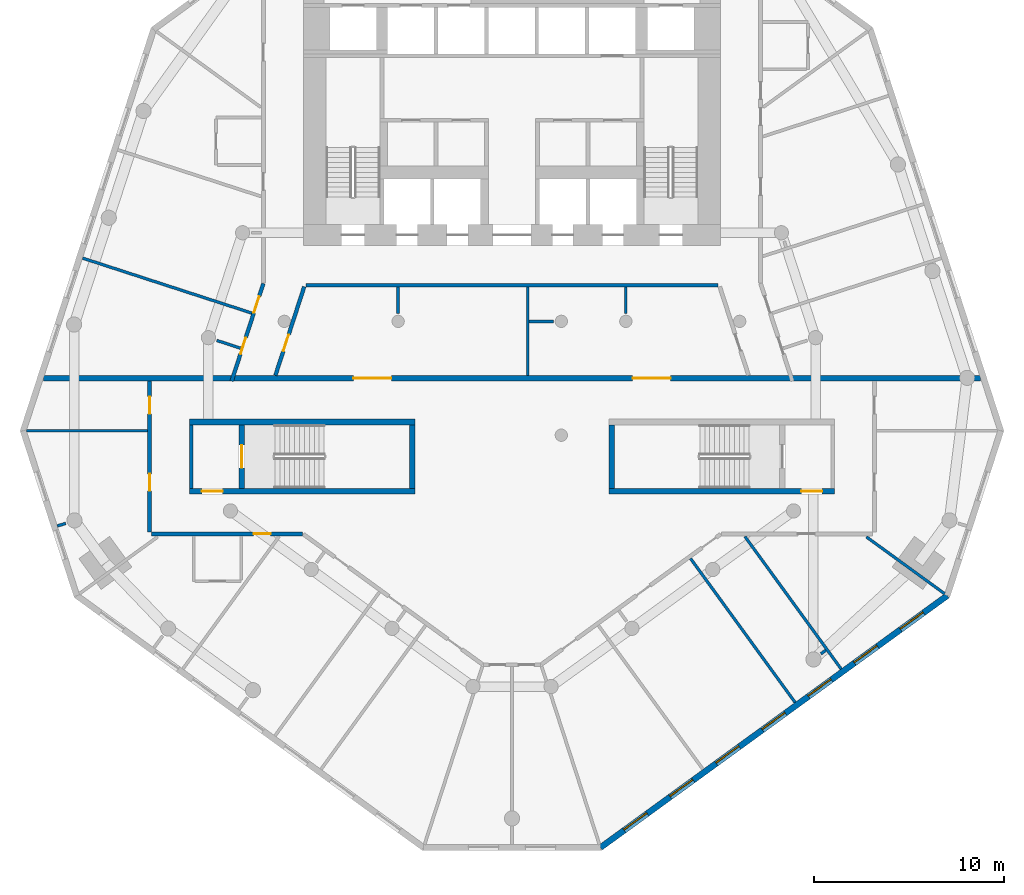
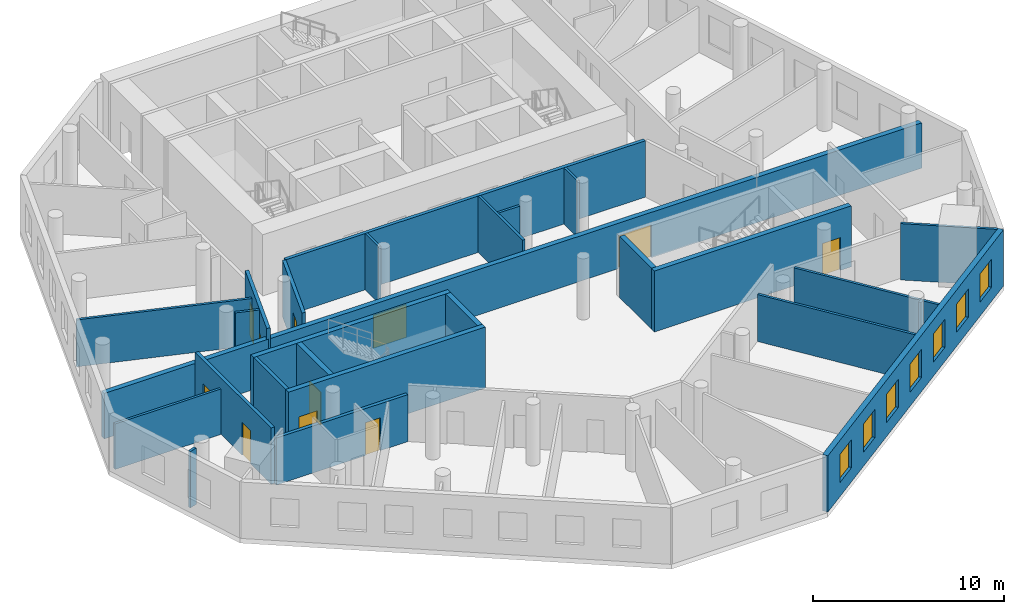
# One storey, part 3 of 9: 26 walls, 11 doors, 7 windows, 18 openings.
"""IFC4 building model written with IfcOpenShell, lengths in metres."""

from ifc_helpers import new_model, si_unit, direction, frame, frame_2d, origin, place, context, subcontext, project, spatial, rectangle, extrude, material, layer, layer_set, type_object, element, fill, save


model = new_model("IFC4")

# Units and contexts
model_context = context("Model", 3, precision=1e-05, world=origin(), true_north=direction((0.0, 1.0)))
body_context = subcontext(model_context, "Body", "Model", "MODEL_VIEW")
ifc_project = project(units=[si_unit("LENGTHUNIT", "METRE"), si_unit("AREAUNIT", "SQUARE_METRE"), si_unit("VOLUMEUNIT", "CUBIC_METRE"), si_unit("PLANEANGLEUNIT", "RADIAN"), si_unit("MASSUNIT", "GRAM", prefix="KILO")], contexts=[model_context])

# Site, building, storey
site_placement = place(None, origin())
site = spatial("IfcSite", under=ifc_project, at=site_placement, CompositionType="ELEMENT")
building_placement = place(site_placement, origin())
building = spatial("IfcBuilding", under=site, at=building_placement, Name="White Candle Pilgrim Tower", CompositionType="ELEMENT")
storey_placement = place(building_placement, frame((0.0, 0.0, 98.60009765625)))
storey = spatial("IfcBuildingStorey", under=building, at=storey_placement, Name="L21", CompositionType="ELEMENT", Elevation=98.60009765625)

# Wall
ifc_material_1 = material(Name="Concrete C60/75", Category="concrete")
ifc_layer_1 = layer(ifc_material_1, 0.199951171875)
ifc_layer_set_1 = layer_set([ifc_layer_1], Name="Core wall 200 mm Concrete C60/75")
wall_type_1 = type_object("IfcWallType", Name="Core wall 200 mm Concrete C60/75", PredefinedType="SHEAR", material=ifc_layer_set_1)
wall_1_placement = place(storey_placement, frame((53.10009765625, 58.199951171875, 0.0), z_axis=(0.0, 0.0, 1.0), x_axis=(0.0, 1.0, 0.0)))
element("IfcWall", 1, at=wall_1_placement, inside=storey, type_object=wall_type_1, Name="WL-L21-C03", PredefinedType="SHEAR", context=body_context, shape_type="SweptSolid", body=[
    extrude(rectangle(XDim=3.35009765625, YDim=0.199951171875, at=frame_2d((1.675048828125, 0.0))), origin(), (0.0, 0.0, 1.0), 3.89990234375),
])

# Wall, openings, doors
ifc_material_2 = material(Name="Gypsum board on steel studs", Category="steel")
ifc_layer_2 = layer(ifc_material_2, 0.199951171875)
ifc_layer_set_2 = layer_set([ifc_layer_2], Name="Corridor wall 200 mm EI 45")
wall_type_2 = type_object("IfcWallType", Name="Corridor wall 200 mm EI 45", PredefinedType="PARTITIONING", material=ifc_layer_set_2)
wall_2_placement = place(storey_placement, frame((55.224609375, 63.85009765625, 0.0), z_axis=(0.0, 0.0, 1.0), x_axis=(0.309037048815, 0.951049999979, 0.0)))
wall_2 = element("IfcWall", 2, at=wall_2_placement, inside=storey, type_object=wall_type_2, Name="WL-L21-P002", PredefinedType="PARTITIONING", context=body_context, shape_type="SweptSolid", body=[
    extrude(rectangle(XDim=5.4052734375, YDim=0.199951171875, at=frame_2d((2.70263671875, 0.0))), origin(), (0.0, 0.0, 1.0), 3.599853515625),
])
opening_1_placement = place(wall_2_placement, frame((1.508544921875, 0.0, 0.0)))
opening_1 = element("IfcOpeningElement", 3, at=opening_1_placement, cuts=wall_2, Name="Opening T06-119", PredefinedType="OPENING", context=body_context, shape_type="SweptSolid", body=[
    extrude(rectangle(XDim=0.89990234375, YDim=2.10009765625, at=frame_2d((0.449951171875, 1.050048828125))), frame((0.0, 0.10986328125, 0.0), z_axis=(0.0, -1.0, 0.0), x_axis=(1.0, 0.0, 0.0)), (0.0, 0.0, 1.0), 0.219970703125),
])
opening_2_placement = place(wall_2_placement, frame((3.78369140625, 0.0, 0.0)))
opening_2 = element("IfcOpeningElement", 4, at=opening_2_placement, cuts=wall_2, Name="Opening T06-120", PredefinedType="OPENING", context=body_context, shape_type="SweptSolid", body=[
    extrude(rectangle(XDim=0.89990234375, YDim=2.10009765625, at=frame_2d((0.449951171875, 1.050048828125))), frame((0.0, 0.10986328125, 0.0), z_axis=(0.0, -1.0, 0.0), x_axis=(1.0, 0.0, 0.0)), (0.0, 0.0, 1.0), 0.219970703125),
])
ifc_material_3 = material(Name="Steel door leaf", Category="steel")
door_type_1 = type_object("IfcDoorType", Name="Fire door 900 x 2100 EI 30", OperationType="NOTDEFINED", PredefinedType="DOOR", material=ifc_material_3)
door_1_placement = place(opening_1_placement, origin())
door_1 = element("IfcDoor", 5, at=door_1_placement, inside=storey, type_object=door_type_1, Name="Door T06-119", OperationType="SINGLE_SWING_LEFT", OverallHeight=2.10009765625, OverallWidth=0.89990234375, PredefinedType="DOOR", context=body_context, shape_type="SweptSolid", body=[
    extrude(rectangle(XDim=0.89990234375, YDim=2.10009765625, at=frame_2d((0.449951171875, 1.050048828125))), frame((0.0, 0.02490234375, 0.0), z_axis=(0.0, -1.0, 0.0), x_axis=(1.0, 0.0, 0.0)), (0.0, 0.0, 1.0), 0.050048828125),
])
fill(opening_1, door_1)
door_2_placement = place(opening_2_placement, frame((0.89990234375, 0.0, 0.0), z_axis=(0.0, 0.0, 1.0), x_axis=(-1.0, 0.0, 0.0)))
door_2 = element("IfcDoor", 6, at=door_2_placement, inside=storey, type_object=door_type_1, Name="Door T06-120", OperationType="SINGLE_SWING_LEFT", OverallHeight=2.10009765625, OverallWidth=0.89990234375, PredefinedType="DOOR", context=body_context, shape_type="SweptSolid", body=[
    extrude(rectangle(XDim=0.89990234375, YDim=2.10009765625, at=frame_2d((0.449951171875, 1.050048828125))), frame((0.0, 0.02490234375, 0.0), z_axis=(0.0, -1.0, 0.0), x_axis=(1.0, 0.0, 0.0)), (0.0, 0.0, 1.0), 0.050048828125),
])
fill(opening_2, door_2)

# Wall, opening, door
wall_3_placement = place(storey_placement, frame((58.946044921875, 55.800048828125, 0.0), z_axis=(0.0, 0.0, 1.0), x_axis=(-1.0, 0.0, 0.0)))
wall_3 = element("IfcWall", 7, at=wall_3_placement, inside=storey, type_object=wall_type_2, Name="WL-L21-P011", PredefinedType="PARTITIONING", context=body_context, shape_type="SweptSolid", body=[
    extrude(rectangle(XDim=7.946044921875, YDim=0.199951171875, at=frame_2d((3.97314453125, 0.0))), origin(), (0.0, 0.0, 1.0), 3.0),
])
opening_3_placement = place(wall_3_placement, frame((1.66943359375, 0.0, 0.0)))
opening_3 = element("IfcOpeningElement", 8, at=opening_3_placement, cuts=wall_3, Name="Opening T06-104", PredefinedType="OPENING", context=body_context, shape_type="SweptSolid", body=[
    extrude(rectangle(XDim=0.89990234375, YDim=2.10009765625, at=frame_2d((0.449951171875, 1.050048828125))), frame((0.0, 0.10986328125, 0.0), z_axis=(0.0, -1.0, 0.0), x_axis=(1.0, 0.0, 0.0)), (0.0, 0.0, 1.0), 0.219970703125),
])
door_3_placement = place(opening_3_placement, origin())
door_3 = element("IfcDoor", 9, at=door_3_placement, inside=storey, type_object=door_type_1, Name="Door T06-104", OperationType="SINGLE_SWING_RIGHT", OverallHeight=2.10009765625, OverallWidth=0.89990234375, PredefinedType="DOOR", context=body_context, shape_type="SweptSolid", body=[
    extrude(rectangle(XDim=0.89990234375, YDim=2.10009765625, at=frame_2d((0.449951171875, 1.050048828125))), frame((0.0, 0.02490234375, 0.0), z_axis=(0.0, -1.0, 0.0), x_axis=(1.0, 0.0, 0.0)), (0.0, 0.0, 1.0), 0.050048828125),
])
fill(opening_3, door_3)

# Wall, openings, doors
wall_4_placement = place(storey_placement, frame((50.89990234375, 55.89990234375, 0.0), z_axis=(0.0, 0.0, 1.0), x_axis=(0.0, 1.0, 0.0)))
wall_4 = element("IfcWall", 10, at=wall_4_placement, inside=storey, type_object=wall_type_2, Name="WL-L21-P012", PredefinedType="PARTITIONING", context=body_context, shape_type="SweptSolid", body=[
    extrude(rectangle(XDim=7.9501953125, YDim=0.199951171875, at=frame_2d((3.97509765625, 0.0))), origin(), (0.0, 0.0, 1.0), 3.599853515625),
])
opening_4_placement = place(wall_4_placement, frame((2.165283203125, 0.0, 0.0)))
opening_4 = element("IfcOpeningElement", 11, at=opening_4_placement, cuts=wall_4, Name="Opening T06-102", PredefinedType="OPENING", context=body_context, shape_type="SweptSolid", body=[
    extrude(rectangle(XDim=0.89990234375, YDim=2.10009765625, at=frame_2d((0.449951171875, 1.050048828125))), frame((0.0, 0.10986328125, 0.0), z_axis=(0.0, -1.0, 0.0), x_axis=(1.0, 0.0, 0.0)), (0.0, 0.0, 1.0), 0.219970703125),
])
opening_5_placement = place(wall_4_placement, frame((6.227783203125, 0.0, 0.0)))
opening_5 = element("IfcOpeningElement", 12, at=opening_5_placement, cuts=wall_4, Name="Opening T06-118", PredefinedType="OPENING", context=body_context, shape_type="SweptSolid", body=[
    extrude(rectangle(XDim=0.89990234375, YDim=2.10009765625, at=frame_2d((0.449951171875, 1.050048828125))), frame((0.0, 0.10986328125, 0.0), z_axis=(0.0, -1.0, 0.0), x_axis=(1.0, 0.0, 0.0)), (0.0, 0.0, 1.0), 0.219970703125),
])
door_4_placement = place(opening_4_placement, origin())
door_4 = element("IfcDoor", 13, at=door_4_placement, inside=storey, type_object=door_type_1, Name="Door T06-102", OperationType="SINGLE_SWING_RIGHT", OverallHeight=2.10009765625, OverallWidth=0.89990234375, PredefinedType="DOOR", context=body_context, shape_type="SweptSolid", body=[
    extrude(rectangle(XDim=0.89990234375, YDim=2.10009765625, at=frame_2d((0.449951171875, 1.050048828125))), frame((0.0, 0.02490234375, 0.0), z_axis=(0.0, -1.0, 0.0), x_axis=(1.0, 0.0, 0.0)), (0.0, 0.0, 1.0), 0.050048828125),
])
fill(opening_4, door_4)
door_5_placement = place(opening_5_placement, origin())
door_5 = element("IfcDoor", 14, at=door_5_placement, inside=storey, type_object=door_type_1, Name="Door T06-118", OperationType="SINGLE_SWING_RIGHT", OverallHeight=2.10009765625, OverallWidth=0.89990234375, PredefinedType="DOOR", context=body_context, shape_type="SweptSolid", body=[
    extrude(rectangle(XDim=0.89990234375, YDim=2.10009765625, at=frame_2d((0.449951171875, 1.050048828125))), frame((0.0, 0.02490234375, 0.0), z_axis=(0.0, -1.0, 0.0), x_axis=(1.0, 0.0, 0.0)), (0.0, 0.0, 1.0), 0.050048828125),
])
fill(opening_5, door_5)

# Wall
wall_5_placement = place(storey_placement, frame((80.853759765625, 68.89990234375, 0.0), z_axis=(0.0, 0.0, 1.0), x_axis=(-1.0, 0.0, 0.0)))
element("IfcWall", 15, at=wall_5_placement, inside=storey, type_object=wall_type_2, Name="WL-L21-P013", PredefinedType="PARTITIONING", context=body_context, shape_type="SweptSolid", body=[
    extrude(rectangle(XDim=21.70751953125, YDim=0.199951171875, at=frame_2d((10.853759765625, 0.0))), origin(), (0.0, 0.0, 1.0), 3.599853515625),
])

# Wall, opening, door
wall_6_placement = place(storey_placement, frame((59.05126953125, 68.830810546875, 0.0), z_axis=(0.0, 0.0, 1.0), x_axis=(-0.309031112369, -0.951051928965, 0.0)))
wall_6 = element("IfcWall", 16, at=wall_6_placement, inside=storey, type_object=wall_type_2, Name="WL-L21-P014", PredefinedType="PARTITIONING", context=body_context, shape_type="SweptSolid", body=[
    extrude(rectangle(XDim=4.921875, YDim=0.199951171875, at=frame_2d((2.4609375, 0.0))), origin(), (0.0, 0.0, 1.0), 3.599853515625),
])
opening_6_placement = place(wall_6_placement, frame((2.665283203125, 0.0, 0.0)))
opening_6 = element("IfcOpeningElement", 17, at=opening_6_placement, cuts=wall_6, Name="Opening T06-129", PredefinedType="OPENING", context=body_context, shape_type="SweptSolid", body=[
    extrude(rectangle(XDim=0.89990234375, YDim=2.10009765625, at=frame_2d((0.449951171875, 1.050048828125))), frame((0.0, 0.10986328125, 0.0), z_axis=(0.0, -1.0, 0.0), x_axis=(1.0, 0.0, 0.0)), (0.0, 0.0, 1.0), 0.219970703125),
])
door_6_placement = place(opening_6_placement, origin())
door_6 = element("IfcDoor", 18, at=door_6_placement, inside=storey, type_object=door_type_1, Name="Door T06-129", OperationType="SINGLE_SWING_LEFT", OverallHeight=2.10009765625, OverallWidth=0.89990234375, PredefinedType="DOOR", context=body_context, shape_type="SweptSolid", body=[
    extrude(rectangle(XDim=0.89990234375, YDim=2.10009765625, at=frame_2d((0.449951171875, 1.050048828125))), frame((0.0, 0.02490234375, 0.0), z_axis=(0.0, -1.0, 0.0), x_axis=(1.0, 0.0, 0.0)), (0.0, 0.0, 1.0), 0.050048828125),
])
fill(opening_6, door_6)

# Wall, openings, windows
ifc_material_4 = material(Name="Precast concrete C40/50", Category="concrete")
ifc_layer_3 = layer(ifc_material_4, 0.320068359375)
ifc_layer_set_3 = layer_set([ifc_layer_3], Name="Facade wall EW1 precast concrete C40/50 pier wall with timber-lined reveals")
wall_type_3 = type_object("IfcWallType", Name="Facade wall EW1 precast concrete C40/50 pier wall with timber-lined reveals", PredefinedType="SOLIDWALL", material=ifc_layer_set_3)
wall_7_placement = place(storey_placement, frame((74.66259765625, 39.26416015625, 0.0), z_axis=(0.0, 0.0, 1.0), x_axis=(0.809012643171, 0.587791241165, 0.0)))
wall_7 = element("IfcWall", 19, at=wall_7_placement, inside=storey, type_object=wall_type_3, Name="Facade wall L21 SE", PredefinedType="SOLIDWALL", context=body_context, shape_type="SweptSolid", body=[
    extrude(rectangle(XDim=22.591796875, YDim=0.320068359375, at=frame_2d((11.2958984375, 0.0))), origin(), (0.0, 0.0, 1.0), 3.599853515625),
])
opening_7_placement = place(wall_7_placement, frame((1.5458984375, 0.0, 0.89990234375)))
opening_7 = element("IfcOpeningElement", 20, at=opening_7_placement, cuts=wall_7, Name="Opening W1", PredefinedType="OPENING", context=body_context, shape_type="SweptSolid", body=[
    extrude(rectangle(XDim=1.5, YDim=1.800048828125, at=frame_2d((0.75, 0.89990234375))), frame((0.0, 0.169921875, 0.0), z_axis=(0.0, -1.0, 0.0), x_axis=(1.0, 0.0, 0.0)), (0.0, 0.0, 1.0), 0.340087890625),
])
opening_8_placement = place(wall_7_placement, frame((4.5458984375, 0.0, 0.89990234375)))
opening_8 = element("IfcOpeningElement", 21, at=opening_8_placement, cuts=wall_7, Name="Opening W1", PredefinedType="OPENING", context=body_context, shape_type="SweptSolid", body=[
    extrude(rectangle(XDim=1.5, YDim=1.800048828125, at=frame_2d((0.75, 0.89990234375))), frame((0.0, 0.169921875, 0.0), z_axis=(0.0, -1.0, 0.0), x_axis=(1.0, 0.0, 0.0)), (0.0, 0.0, 1.0), 0.340087890625),
])
opening_9_placement = place(wall_7_placement, frame((7.5458984375, 0.0, 0.89990234375)))
opening_9 = element("IfcOpeningElement", 22, at=opening_9_placement, cuts=wall_7, Name="Opening W1", PredefinedType="OPENING", context=body_context, shape_type="SweptSolid", body=[
    extrude(rectangle(XDim=1.5, YDim=1.800048828125, at=frame_2d((0.75, 0.89990234375))), frame((0.0, 0.169921875, 0.0), z_axis=(0.0, -1.0, 0.0), x_axis=(1.0, 0.0, 0.0)), (0.0, 0.0, 1.0), 0.340087890625),
])
opening_10_placement = place(wall_7_placement, frame((10.5458984375, 0.0, 0.89990234375)))
opening_10 = element("IfcOpeningElement", 23, at=opening_10_placement, cuts=wall_7, Name="Opening W1", PredefinedType="OPENING", context=body_context, shape_type="SweptSolid", body=[
    extrude(rectangle(XDim=1.5, YDim=1.800048828125, at=frame_2d((0.75, 0.89990234375))), frame((0.0, 0.169921875, 0.0), z_axis=(0.0, -1.0, 0.0), x_axis=(1.0, 0.0, 0.0)), (0.0, 0.0, 1.0), 0.340087890625),
])
opening_11_placement = place(wall_7_placement, frame((13.5458984375, 0.0, 0.89990234375)))
opening_11 = element("IfcOpeningElement", 24, at=opening_11_placement, cuts=wall_7, Name="Opening W1", PredefinedType="OPENING", context=body_context, shape_type="SweptSolid", body=[
    extrude(rectangle(XDim=1.5, YDim=1.800048828125, at=frame_2d((0.75, 0.89990234375))), frame((0.0, 0.169921875, 0.0), z_axis=(0.0, -1.0, 0.0), x_axis=(1.0, 0.0, 0.0)), (0.0, 0.0, 1.0), 0.340087890625),
])
opening_12_placement = place(wall_7_placement, frame((16.5458984375, 0.0, 0.89990234375)))
opening_12 = element("IfcOpeningElement", 25, at=opening_12_placement, cuts=wall_7, Name="Opening W1", PredefinedType="OPENING", context=body_context, shape_type="SweptSolid", body=[
    extrude(rectangle(XDim=1.5, YDim=1.800048828125, at=frame_2d((0.75, 0.89990234375))), frame((0.0, 0.169921875, 0.0), z_axis=(0.0, -1.0, 0.0), x_axis=(1.0, 0.0, 0.0)), (0.0, 0.0, 1.0), 0.340087890625),
])
opening_13_placement = place(wall_7_placement, frame((19.5458984375, 0.0, 0.89990234375)))
opening_13 = element("IfcOpeningElement", 26, at=opening_13_placement, cuts=wall_7, Name="Opening W1", PredefinedType="OPENING", context=body_context, shape_type="SweptSolid", body=[
    extrude(rectangle(XDim=1.5, YDim=1.800048828125, at=frame_2d((0.75, 0.89990234375))), frame((0.0, 0.169921875, 0.0), z_axis=(0.0, -1.0, 0.0), x_axis=(1.0, 0.0, 0.0)), (0.0, 0.0, 1.0), 0.340087890625),
])
ifc_material_5 = material(Name="Timber frame with triple glazing", Category="wood")
window_type = type_object("IfcWindowType", Name="Window W1 1500x1800 timber frame triple glazing", PartitioningType="SINGLE_PANEL", PredefinedType="WINDOW", material=ifc_material_5)
window_1_placement = place(opening_7_placement, origin())
window_1 = element("IfcWindow", 27, at=window_1_placement, inside=storey, type_object=window_type, Name="Window W1 L21 SE 1", OverallHeight=1.800048828125, OverallWidth=1.5, PartitioningType="SINGLE_PANEL", PredefinedType="WINDOW", context=body_context, shape_type="SweptSolid", body=[
    extrude(rectangle(XDim=1.5, YDim=1.800048828125, at=frame_2d((0.75, 0.89990234375))), frame((0.0, 0.070068359375, 0.0), z_axis=(0.0, -1.0, 0.0), x_axis=(1.0, 0.0, 0.0)), (0.0, 0.0, 1.0), 0.06005859375),
])
fill(opening_7, window_1)
window_2_placement = place(opening_8_placement, origin())
window_2 = element("IfcWindow", 28, at=window_2_placement, inside=storey, type_object=window_type, Name="Window W1 L21 SE 2", OverallHeight=1.800048828125, OverallWidth=1.5, PartitioningType="SINGLE_PANEL", PredefinedType="WINDOW", context=body_context, shape_type="SweptSolid", body=[
    extrude(rectangle(XDim=1.5, YDim=1.800048828125, at=frame_2d((0.75, 0.89990234375))), frame((0.0, 0.070068359375, 0.0), z_axis=(0.0, -1.0, 0.0), x_axis=(1.0, 0.0, 0.0)), (0.0, 0.0, 1.0), 0.06005859375),
])
fill(opening_8, window_2)
window_3_placement = place(opening_9_placement, origin())
window_3 = element("IfcWindow", 29, at=window_3_placement, inside=storey, type_object=window_type, Name="Window W1 L21 SE 3", OverallHeight=1.800048828125, OverallWidth=1.5, PartitioningType="SINGLE_PANEL", PredefinedType="WINDOW", context=body_context, shape_type="SweptSolid", body=[
    extrude(rectangle(XDim=1.5, YDim=1.800048828125, at=frame_2d((0.75, 0.89990234375))), frame((0.0, 0.070068359375, 0.0), z_axis=(0.0, -1.0, 0.0), x_axis=(1.0, 0.0, 0.0)), (0.0, 0.0, 1.0), 0.06005859375),
])
fill(opening_9, window_3)
window_4_placement = place(opening_10_placement, origin())
window_4 = element("IfcWindow", 30, at=window_4_placement, inside=storey, type_object=window_type, Name="Window W1 L21 SE 4", OverallHeight=1.800048828125, OverallWidth=1.5, PartitioningType="SINGLE_PANEL", PredefinedType="WINDOW", context=body_context, shape_type="SweptSolid", body=[
    extrude(rectangle(XDim=1.5, YDim=1.800048828125, at=frame_2d((0.75, 0.89990234375))), frame((0.0, 0.070068359375, 0.0), z_axis=(0.0, -1.0, 0.0), x_axis=(1.0, 0.0, 0.0)), (0.0, 0.0, 1.0), 0.06005859375),
])
fill(opening_10, window_4)
window_5_placement = place(opening_11_placement, origin())
window_5 = element("IfcWindow", 31, at=window_5_placement, inside=storey, type_object=window_type, Name="Window W1 L21 SE 5", OverallHeight=1.800048828125, OverallWidth=1.5, PartitioningType="SINGLE_PANEL", PredefinedType="WINDOW", context=body_context, shape_type="SweptSolid", body=[
    extrude(rectangle(XDim=1.5, YDim=1.800048828125, at=frame_2d((0.75, 0.89990234375))), frame((0.0, 0.070068359375, 0.0), z_axis=(0.0, -1.0, 0.0), x_axis=(1.0, 0.0, 0.0)), (0.0, 0.0, 1.0), 0.06005859375),
])
fill(opening_11, window_5)
window_6_placement = place(opening_12_placement, origin())
window_6 = element("IfcWindow", 32, at=window_6_placement, inside=storey, type_object=window_type, Name="Window W1 L21 SE 6", OverallHeight=1.800048828125, OverallWidth=1.5, PartitioningType="SINGLE_PANEL", PredefinedType="WINDOW", context=body_context, shape_type="SweptSolid", body=[
    extrude(rectangle(XDim=1.5, YDim=1.800048828125, at=frame_2d((0.75, 0.89990234375))), frame((0.0, 0.070068359375, 0.0), z_axis=(0.0, -1.0, 0.0), x_axis=(1.0, 0.0, 0.0)), (0.0, 0.0, 1.0), 0.06005859375),
])
fill(opening_12, window_6)
window_7_placement = place(opening_13_placement, origin())
window_7 = element("IfcWindow", 33, at=window_7_placement, inside=storey, type_object=window_type, Name="Window W1 L21 SE 7", OverallHeight=1.800048828125, OverallWidth=1.5, PartitioningType="SINGLE_PANEL", PredefinedType="WINDOW", context=body_context, shape_type="SweptSolid", body=[
    extrude(rectangle(XDim=1.5, YDim=1.800048828125, at=frame_2d((0.75, 0.89990234375))), frame((0.0, 0.070068359375, 0.0), z_axis=(0.0, -1.0, 0.0), x_axis=(1.0, 0.0, 0.0)), (0.0, 0.0, 1.0), 0.06005859375),
])
fill(opening_13, window_7)

# Wall, openings, doors
ifc_material_6 = material(Name="Aerated concrete block", Category="concrete")
ifc_layer_4 = layer(ifc_material_6, 0.300048828125)
ifc_layer_set_4 = layer_set([ifc_layer_4], Name="Fire wall 300 mm REI 240")
wall_type_4 = type_object("IfcWallType", Name="Fire wall 300 mm REI 240", PredefinedType="PARTITIONING", material=ifc_layer_set_4)
wall_8_placement = place(storey_placement, frame((45.3056640625, 64.0, 0.0), z_axis=(0.0, 0.0, 1.0), x_axis=(1.0, 0.0, 0.0)))
wall_8 = element("IfcWall", 34, at=wall_8_placement, inside=storey, type_object=wall_type_4, Name="WL-L21-P001", PredefinedType="PARTITIONING", context=body_context, shape_type="SweptSolid", body=[
    extrude(rectangle(XDim=49.388671875, YDim=0.300048828125, at=frame_2d((24.6943359375, 0.0))), origin(), (0.0, 0.0, 1.0), 2.89990234375),
])
opening_14_placement = place(wall_8_placement, frame((16.3310546875, 0.0, 0.0)))
opening_14 = element("IfcOpeningElement", 35, at=opening_14_placement, cuts=wall_8, Name="Opening T06-116", PredefinedType="OPENING", context=body_context, shape_type="SweptSolid", body=[
    extrude(rectangle(XDim=2.0, YDim=2.10009765625, at=frame_2d((1.0, 1.050048828125))), frame((0.0, 0.159912109375, 0.0), z_axis=(0.0, -1.0, 0.0), x_axis=(1.0, 0.0, 0.0)), (0.0, 0.0, 1.0), 0.320068359375),
])
opening_15_placement = place(wall_8_placement, frame((31.0576171875, 0.0, 0.0)))
opening_15 = element("IfcOpeningElement", 36, at=opening_15_placement, cuts=wall_8, Name="Opening T06-117", PredefinedType="OPENING", context=body_context, shape_type="SweptSolid", body=[
    extrude(rectangle(XDim=2.0, YDim=2.10009765625, at=frame_2d((1.0, 1.050048828125))), frame((0.0, 0.159912109375, 0.0), z_axis=(0.0, -1.0, 0.0), x_axis=(1.0, 0.0, 0.0)), (0.0, 0.0, 1.0), 0.320068359375),
])
door_type_2 = type_object("IfcDoorType", Name="Fire door 2000 x 2100 EI 60", OperationType="NOTDEFINED", PredefinedType="DOOR", material=ifc_material_3)
door_7_placement = place(opening_14_placement, origin())
door_7 = element("IfcDoor", 37, at=door_7_placement, inside=storey, type_object=door_type_2, Name="Door T06-116", OperationType="DOUBLE_DOOR_SINGLE_SWING", OverallHeight=2.10009765625, OverallWidth=2.0, PredefinedType="DOOR", context=body_context, shape_type="SweptSolid", body=[
    extrude(rectangle(XDim=2.0, YDim=2.10009765625, at=frame_2d((1.0, 1.050048828125))), frame((0.0, 0.02490234375, 0.0), z_axis=(0.0, -1.0, 0.0), x_axis=(1.0, 0.0, 0.0)), (0.0, 0.0, 1.0), 0.050048828125),
])
fill(opening_14, door_7)
door_8_placement = place(opening_15_placement, origin())
door_8 = element("IfcDoor", 38, at=door_8_placement, inside=storey, type_object=door_type_2, Name="Door T06-117", OperationType="DOUBLE_DOOR_SINGLE_SWING", OverallHeight=2.10009765625, OverallWidth=2.0, PredefinedType="DOOR", context=body_context, shape_type="SweptSolid", body=[
    extrude(rectangle(XDim=2.0, YDim=2.10009765625, at=frame_2d((1.0, 1.050048828125))), frame((0.0, 0.02490234375, 0.0), z_axis=(0.0, -1.0, 0.0), x_axis=(1.0, 0.0, 0.0)), (0.0, 0.0, 1.0), 0.050048828125),
])
fill(opening_15, door_8)

# Walls
ifc_layer_5 = layer(ifc_material_2, 0.14990234375)
ifc_layer_set_5 = layer_set([ifc_layer_5], Name="Partition 150 mm EI 60")
wall_type_5 = type_object("IfcWallType", Name="Partition 150 mm EI 60", PredefinedType="PARTITIONING", material=ifc_layer_set_5)
wall_9_placement = place(storey_placement, frame((44.40576171875, 61.230712890625, 0.0), z_axis=(0.0, 0.0, 1.0), x_axis=(1.0, 0.0, 0.0)))
element("IfcWall", 39, at=wall_9_placement, inside=storey, type_object=wall_type_5, Name="WL-L21-P017", PredefinedType="PARTITIONING", context=body_context, shape_type="SweptSolid", body=[
    extrude(rectangle(XDim=6.394287109375, YDim=0.14990234375, at=frame_2d((3.197265625, 0.0))), origin(), (0.0, 0.0, 1.0), 2.89990234375),
])
wall_10_placement = place(storey_placement, frame((92.8037109375, 52.642333984375, 0.0), z_axis=(0.0, 0.0, 1.0), x_axis=(-0.809009310944, 0.587795827483, 0.0)))
element("IfcWall", 40, at=wall_10_placement, inside=storey, type_object=wall_type_5, Name="WL-L21-P021", PredefinedType="PARTITIONING", context=body_context, shape_type="SweptSolid", body=[
    extrude(rectangle(XDim=5.098876953125, YDim=0.14990234375, at=frame_2d((2.54931640625, 0.0))), origin(), (0.0, 0.0, 1.0), 3.599853515625),
])
wall_11_placement = place(storey_placement, frame((47.363525390625, 70.333740234375, 0.0), z_axis=(0.0, 0.0, 1.0), x_axis=(0.951060843481, -0.309003676349, 0.0)))
element("IfcWall", 41, at=wall_11_placement, inside=storey, type_object=wall_type_5, Name="WL-L21-P025", PredefinedType="PARTITIONING", context=body_context, shape_type="SweptSolid", body=[
    extrude(rectangle(XDim=9.3798828125, YDim=0.14990234375, at=frame_2d((4.68994140625, 0.0))), origin(), (0.0, 0.0, 1.0), 3.0),
])
wall_12_placement = place(storey_placement, frame((84.920654296875, 46.9150390625, 0.0), z_axis=(0.0, 0.0, 1.0), x_axis=(-0.587783184234, 0.809018496903, 0.0)))
element("IfcWall", 42, at=wall_12_placement, inside=storey, type_object=wall_type_5, Name="WL-L21-P037", PredefinedType="PARTITIONING", context=body_context, shape_type="SweptSolid", body=[
    extrude(rectangle(XDim=9.380126953125, YDim=0.14990234375, at=frame_2d((4.68994140625, 0.0))), origin(), (0.0, 0.0, 1.0), 3.0),
])
wall_13_placement = place(storey_placement, frame((87.34765625, 48.678466796875, 0.0), z_axis=(0.0, 0.0, 1.0), x_axis=(-0.587774405354, 0.809024875026, 0.0)))
element("IfcWall", 43, at=wall_13_placement, inside=storey, type_object=wall_type_5, Name="WL-L21-P038", PredefinedType="PARTITIONING", context=body_context, shape_type="SweptSolid", body=[
    extrude(rectangle(XDim=8.62451171875, YDim=0.14990234375, at=frame_2d((4.312255859375, 0.0))), origin(), (0.0, 0.0, 1.0), 3.0),
])
wall_14_placement = place(storey_placement, frame((70.827880859375, 64.14990234375, 0.0), z_axis=(0.0, 0.0, 1.0), x_axis=(0.0, 1.0, 0.0)))
element("IfcWall", 44, at=wall_14_placement, inside=storey, type_object=wall_type_5, Name="WL-L21-P045", PredefinedType="PARTITIONING", context=body_context, shape_type="SweptSolid", body=[
    extrude(rectangle(XDim=4.650146484375, YDim=0.14990234375, at=frame_2d((2.3251953125, 0.0))), origin(), (0.0, 0.0, 1.0), 3.599853515625),
])
wall_15_placement = place(storey_placement, frame((46.47509765625, 56.35498046875, 0.0), z_axis=(0.0, 0.0, 1.0), x_axis=(-0.951037957901, -0.309074105406, 0.0)))
element("IfcWall", 45, at=wall_15_placement, inside=storey, type_object=wall_type_5, Name="WL-L21-P046", PredefinedType="PARTITIONING", context=body_context, shape_type="SweptSolid", body=[
    extrude(rectangle(XDim=0.46142578125, YDim=0.14990234375, at=frame_2d((0.230712890625, 0.0))), origin(), (0.0, 0.0, 1.0), 3.599853515625),
])
wall_16_placement = place(storey_placement, frame((86.280517578125, 49.47607421875, 0.0), z_axis=(0.0, 0.0, 1.0), x_axis=(0.809165407994, 0.587580924219, 0.0)))
element("IfcWall", 46, at=wall_16_placement, inside=storey, type_object=wall_type_5, Name="WL-L21-P049", PredefinedType="PARTITIONING", context=body_context, shape_type="SweptSolid", body=[
    extrude(rectangle(XDim=0.319580078125, YDim=0.14990234375, at=frame_2d((0.15966796875, 0.0))), origin(), (0.0, 0.0, 1.0), 3.099853515625),
])
wall_17_placement = place(storey_placement, frame((54.441162109375, 65.992919921875, 0.0), z_axis=(0.0, 0.0, 1.0), x_axis=(0.951046418515, -0.309048070419, 0.0)))
element("IfcWall", 47, at=wall_17_placement, inside=storey, type_object=wall_type_5, Name="WL-L21-P057", PredefinedType="PARTITIONING", context=body_context, shape_type="SweptSolid", body=[
    extrude(rectangle(XDim=1.307373046875, YDim=0.14990234375, at=frame_2d((0.65380859375, 0.0))), origin(), (0.0, 0.0, 1.0), 3.599853515625),
])
wall_18_placement = place(storey_placement, frame((63.997802734375, 67.4150390625, 0.0), z_axis=(0.0, 0.0, 1.0), x_axis=(0.0, 1.0, 0.0)))
element("IfcWall", 48, at=wall_18_placement, inside=storey, type_object=wall_type_5, Name="WL-L21-P058", PredefinedType="PARTITIONING", context=body_context, shape_type="SweptSolid", body=[
    extrude(rectangle(XDim=1.385009765625, YDim=0.14990234375, at=frame_2d((0.6923828125, 0.0))), origin(), (0.0, 0.0, 1.0), 3.599853515625),
])
wall_19_placement = place(storey_placement, frame((72.18505859375, 66.997802734375, 0.0), z_axis=(0.0, 0.0, 1.0), x_axis=(-1.0, 0.0, 0.0)))
element("IfcWall", 49, at=wall_19_placement, inside=storey, type_object=wall_type_5, Name="WL-L21-P059", PredefinedType="PARTITIONING", context=body_context, shape_type="SweptSolid", body=[
    extrude(rectangle(XDim=1.2822265625, YDim=0.14990234375, at=frame_2d((0.64111328125, 0.0))), origin(), (0.0, 0.0, 1.0), 3.599853515625),
])
wall_20_placement = place(storey_placement, frame((75.997802734375, 67.4150390625, 0.0), z_axis=(0.0, 0.0, 1.0), x_axis=(0.0, 1.0, 0.0)))
element("IfcWall", 50, at=wall_20_placement, inside=storey, type_object=wall_type_5, Name="WL-L21-P060", PredefinedType="PARTITIONING", context=body_context, shape_type="SweptSolid", body=[
    extrude(rectangle(XDim=1.385009765625, YDim=0.14990234375, at=frame_2d((0.6923828125, 0.0))), origin(), (0.0, 0.0, 1.0), 3.599853515625),
])

# Wall, opening, door
ifc_layer_6 = layer(ifc_material_1, 0.300048828125)
ifc_layer_set_6 = layer_set([ifc_layer_6], Name="Stair shaft wall 300 mm Concrete C60/75")
wall_type_6 = type_object("IfcWallType", Name="Stair shaft wall 300 mm Concrete C60/75", PredefinedType="SHEAR", material=ifc_layer_set_6)
wall_21_placement = place(storey_placement, frame((53.0, 58.050048828125, 0.0), z_axis=(0.0, 0.0, 1.0), x_axis=(1.0, 0.0, 0.0)))
wall_21 = element("IfcWall", 51, at=wall_21_placement, inside=storey, type_object=wall_type_6, Name="WL-L21-C01", PredefinedType="SHEAR", context=body_context, shape_type="SweptSolid", body=[
    extrude(rectangle(XDim=11.89990234375, YDim=0.300048828125, at=frame_2d((5.949951171875, 0.0))), origin(), (0.0, 0.0, 1.0), 3.89990234375),
])
opening_16_placement = place(wall_21_placement, frame((0.64990234375, 0.0, 0.0)))
opening_16 = element("IfcOpeningElement", 52, at=opening_16_placement, cuts=wall_21, Name="Opening T06-007", PredefinedType="OPENING", context=body_context, shape_type="SweptSolid", body=[
    extrude(rectangle(XDim=1.10009765625, YDim=2.10009765625, at=frame_2d((0.550048828125, 1.050048828125))), frame((0.0, 0.159912109375, 0.0), z_axis=(0.0, -1.0, 0.0), x_axis=(1.0, 0.0, 0.0)), (0.0, 0.0, 1.0), 0.320068359375),
])
door_type_3 = type_object("IfcDoorType", Name="Fire door 1100 x 2100 EI 60", OperationType="NOTDEFINED", PredefinedType="DOOR", material=ifc_material_3)
door_9_placement = place(opening_16_placement, origin())
door_9 = element("IfcDoor", 53, at=door_9_placement, inside=storey, type_object=door_type_3, Name="Door T06-007", OperationType="SINGLE_SWING_LEFT", OverallHeight=2.10009765625, OverallWidth=1.10009765625, PredefinedType="DOOR", context=body_context, shape_type="SweptSolid", body=[
    extrude(rectangle(XDim=1.10009765625, YDim=2.10009765625, at=frame_2d((0.550048828125, 1.050048828125))), frame((0.0, 0.02490234375, 0.0), z_axis=(0.0, -1.0, 0.0), x_axis=(1.0, 0.0, 0.0)), (0.0, 0.0, 1.0), 0.050048828125),
])
fill(opening_16, door_9)

wall_22_placement = place(storey_placement, frame((75.10009765625, 58.050048828125, 0.0), z_axis=(0.0, 0.0, 1.0), x_axis=(1.0, 0.0, 0.0)))
wall_22 = element("IfcWall", 54, at=wall_22_placement, inside=storey, type_object=wall_type_6, Name="WL-L21-C02", PredefinedType="SHEAR", context=body_context, shape_type="SweptSolid", body=[
    extrude(rectangle(XDim=11.89990234375, YDim=0.300048828125, at=frame_2d((5.949951171875, 0.0))), origin(), (0.0, 0.0, 1.0), 3.89990234375),
])
opening_17_placement = place(wall_22_placement, frame((10.14990234375, 0.0, 0.0)))
opening_17 = element("IfcOpeningElement", 55, at=opening_17_placement, cuts=wall_22, Name="Opening T06-009", PredefinedType="OPENING", context=body_context, shape_type="SweptSolid", body=[
    extrude(rectangle(XDim=1.10009765625, YDim=2.10009765625, at=frame_2d((0.550048828125, 1.050048828125))), frame((0.0, 0.159912109375, 0.0), z_axis=(0.0, -1.0, 0.0), x_axis=(1.0, 0.0, 0.0)), (0.0, 0.0, 1.0), 0.320068359375),
])
door_10_placement = place(opening_17_placement, origin())
door_10 = element("IfcDoor", 56, at=door_10_placement, inside=storey, type_object=door_type_3, Name="Door T06-009", OperationType="SINGLE_SWING_LEFT", OverallHeight=2.10009765625, OverallWidth=1.10009765625, PredefinedType="DOOR", context=body_context, shape_type="SweptSolid", body=[
    extrude(rectangle(XDim=1.10009765625, YDim=2.10009765625, at=frame_2d((0.550048828125, 1.050048828125))), frame((0.0, 0.02490234375, 0.0), z_axis=(0.0, -1.0, 0.0), x_axis=(1.0, 0.0, 0.0)), (0.0, 0.0, 1.0), 0.050048828125),
])
fill(opening_17, door_10)

wall_23_placement = place(storey_placement, frame((55.75, 58.199951171875, 0.0), z_axis=(0.0, 0.0, 1.0), x_axis=(0.0, 1.0, 0.0)))
wall_23 = element("IfcWall", 57, at=wall_23_placement, inside=storey, type_object=wall_type_6, Name="WL-L21-C04", PredefinedType="SHEAR", context=body_context, shape_type="SweptSolid", body=[
    extrude(rectangle(XDim=3.35009765625, YDim=0.300048828125, at=frame_2d((1.675048828125, 0.0))), origin(), (0.0, 0.0, 1.0), 3.89990234375),
])
opening_18_placement = place(wall_23_placement, frame((1.074951171875, 0.0, 0.0)))
opening_18 = element("IfcOpeningElement", 58, at=opening_18_placement, cuts=wall_23, Name="Opening T06-008", PredefinedType="OPENING", context=body_context, shape_type="SweptSolid", body=[
    extrude(rectangle(XDim=1.199951171875, YDim=2.10009765625, at=frame_2d((0.60009765625, 1.050048828125))), frame((0.0, 0.159912109375, 0.0), z_axis=(0.0, -1.0, 0.0), x_axis=(1.0, 0.0, 0.0)), (0.0, 0.0, 1.0), 0.320068359375),
])
door_type_4 = type_object("IfcDoorType", Name="Fire door 1200 x 2100 EI 60", OperationType="NOTDEFINED", PredefinedType="DOOR", material=ifc_material_3)
door_11_placement = place(opening_18_placement, frame((1.199951171875, 0.0, 0.0), z_axis=(0.0, 0.0, 1.0), x_axis=(-1.0, 0.0, 0.0)))
door_11 = element("IfcDoor", 59, at=door_11_placement, inside=storey, type_object=door_type_4, Name="Door T06-008", OperationType="SINGLE_SWING_LEFT", OverallHeight=2.10009765625, OverallWidth=1.199951171875, PredefinedType="DOOR", context=body_context, shape_type="SweptSolid", body=[
    extrude(rectangle(XDim=1.199951171875, YDim=2.10009765625, at=frame_2d((0.60009765625, 1.050048828125))), frame((0.0, 0.02490234375, 0.0), z_axis=(0.0, -1.0, 0.0), x_axis=(1.0, 0.0, 0.0)), (0.0, 0.0, 1.0), 0.050048828125),
])
fill(opening_18, door_11)

# Walls
for number, where, z_axis, x_axis, name in (
    (60, (64.75, 58.199951171875, 0.0), (0.0, 0.0, 1.0), (0.0, 1.0, 0.0), "WL-L21-C05"),
    (61, (75.25, 58.199951171875, 0.0), (0.0, 0.0, 1.0), (0.0, 1.0, 0.0), "WL-L21-C06"),
):
    element("IfcWall", number, at=place(storey_placement, frame(where, z_axis=z_axis, x_axis=x_axis)), inside=storey, type_object=wall_type_6, Name=name, PredefinedType="SHEAR", context=body_context, shape_type="SweptSolid", body=[
        extrude(rectangle(XDim=3.35009765625, YDim=0.300048828125, at=frame_2d((1.675048828125, 0.0))), origin(), (0.0, 0.0, 1.0), 3.89990234375),
    ])
wall_24_placement = place(storey_placement, frame((53.0, 61.699951171875, 0.0), z_axis=(0.0, 0.0, 1.0), x_axis=(1.0, 0.0, 0.0)))
element("IfcWall", 62, at=wall_24_placement, inside=storey, type_object=wall_type_6, Name="WL-L21-C09", PredefinedType="SHEAR", context=body_context, shape_type="SweptSolid", body=[
    extrude(rectangle(XDim=11.89990234375, YDim=0.300048828125, at=frame_2d((5.949951171875, 0.0))), origin(), (0.0, 0.0, 1.0), 3.89990234375),
])

save(model, "model.ifc")
